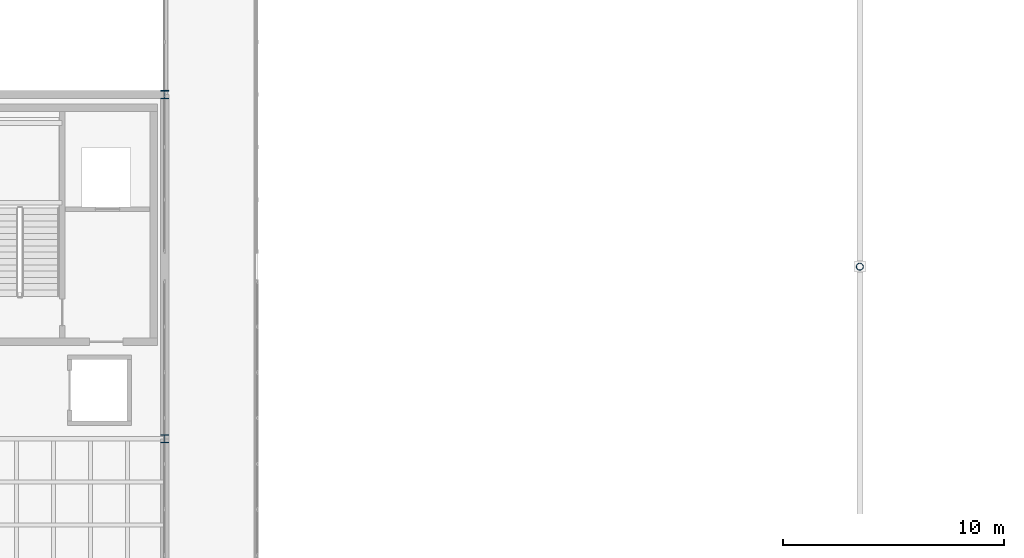
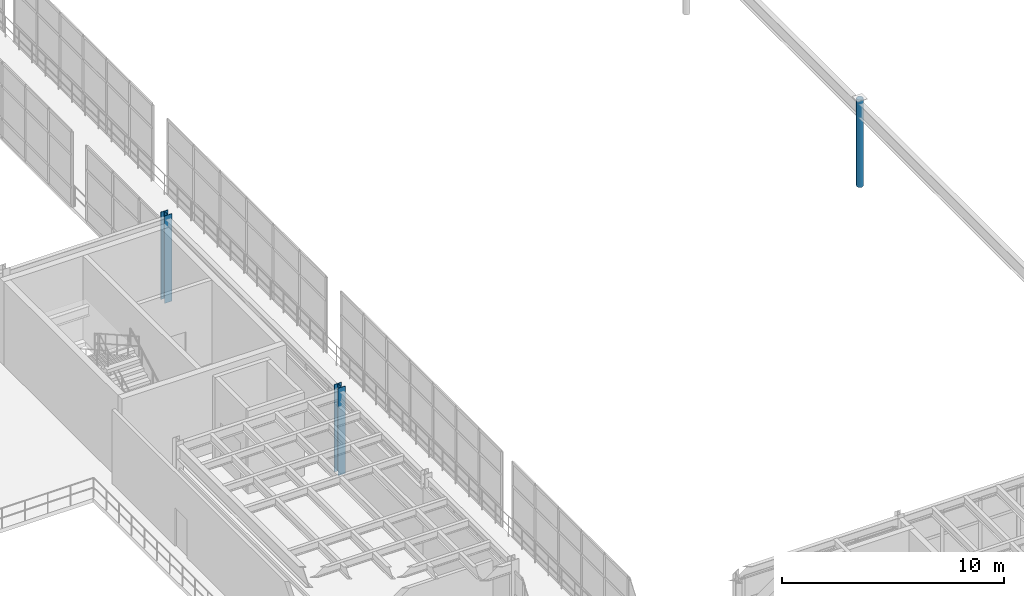
# One storey, part 9 of 116: 3 columns.
"""IFC4 building model written with IfcOpenShell, lengths in metres."""

from ifc_helpers import new_model, si_unit, direction, frame, origin, origin_2d, place, context, subcontext, project, spatial, hollow_circle, i_section, extrude, material, material_profile, profile_set, type_object, element, save


model = new_model("IFC4")

# Units and contexts
model_context = context("Model", 3, precision=1e-05, world=origin(), true_north=direction((0.0, 1.0)))
body_context = subcontext(model_context, "Body", "Model", "MODEL_VIEW")
ifc_project = project(units=[si_unit("LENGTHUNIT", "METRE"), si_unit("AREAUNIT", "SQUARE_METRE"), si_unit("VOLUMEUNIT", "CUBIC_METRE"), si_unit("PLANEANGLEUNIT", "RADIAN"), si_unit("MASSUNIT", "GRAM", prefix="KILO")], contexts=[model_context])

# Site, building, storey
site_placement = place(None, origin())
site = spatial("IfcSite", under=ifc_project, at=site_placement, CompositionType="ELEMENT")
building_placement = place(site_placement, origin())
building = spatial("IfcBuilding", under=site, at=building_placement, Name="Selat Folded Stagehouse", CompositionType="ELEMENT")
storey_placement = place(building_placement, frame((0.0, 0.0, 5.39990234375)))
storey = spatial("IfcBuildingStorey", under=building, at=storey_placement, Name="L01", CompositionType="ELEMENT", Elevation=5.39990234375)

# Columns
ifc_material = material(Name="Steel S355", Category="steel")
ifc_material_profile_1 = material_profile(ifc_material, hollow_circle(Radius=0.161865234375, WallThickness=0.012451171875, at=origin_2d()), Name="CHS 323.9x12.5")
ifc_profile_set_1 = profile_set([ifc_material_profile_1], Name="Steel S355")
column_type_1 = type_object("IfcColumnType", Name="COL-CHS-323x12.5", PredefinedType="COLUMN", material=ifc_profile_set_1)
column_placement = place(storey_placement, frame((98.699951171875, 46.800048828125, 0.0), z_axis=(0.0, 0.0, 1.0), x_axis=(1.0, 0.0, 0.0)))
element("IfcColumn", 1, at=column_placement, inside=storey, type_object=column_type_1, Name="L01 column STK-BR2-468", PredefinedType="COLUMN", context=body_context, shape_type="SweptSolid", body=[
    extrude(hollow_circle(Radius=0.161865234375, WallThickness=0.012451171875, at=origin_2d()), origin(), (0.0, 0.0, 1.0), 4.800048828125),
])
ifc_material_profile_2 = material_profile(ifc_material, i_section(OverallWidth=0.37255859375, OverallDepth=0.3681640625, WebThickness=0.014404296875, FlangeThickness=0.023681640625, FilletRadius=0.01513671875, at=origin_2d()), Name="UKC 356x368x177")
ifc_profile_set_2 = profile_set([ifc_material_profile_2], Name="Steel S355")
column_type_2 = type_object("IfcColumnType", Name="COL-UKC-356x368x177", PredefinedType="COLUMN", material=ifc_profile_set_2)
for number, where, z_axis, x_axis, name in (
    (2, (67.199951171875, 39.0, 0.0), (0.0, 0.0, 1.0), (1.0, 0.0, 0.0), "L01 column STK-V2-23"),
    (3, (67.199951171875, 54.60009765625, 0.0), (0.0, 0.0, 1.0), (1.0, 0.0, 0.0), "L01 column STK-V2-24"),
):
    element("IfcColumn", number, at=place(storey_placement, frame(where, z_axis=z_axis, x_axis=x_axis)), inside=storey, type_object=column_type_2, Name=name, PredefinedType="COLUMN", context=body_context, shape_type="SweptSolid", body=[
        extrude(i_section(OverallWidth=0.37255859375, OverallDepth=0.3681640625, WebThickness=0.014404296875, FlangeThickness=0.023681640625, FilletRadius=0.01513671875, at=origin_2d()), origin(), (0.0, 0.0, 1.0), 4.800048828125),
    ])

save(model, "model.ifc")
